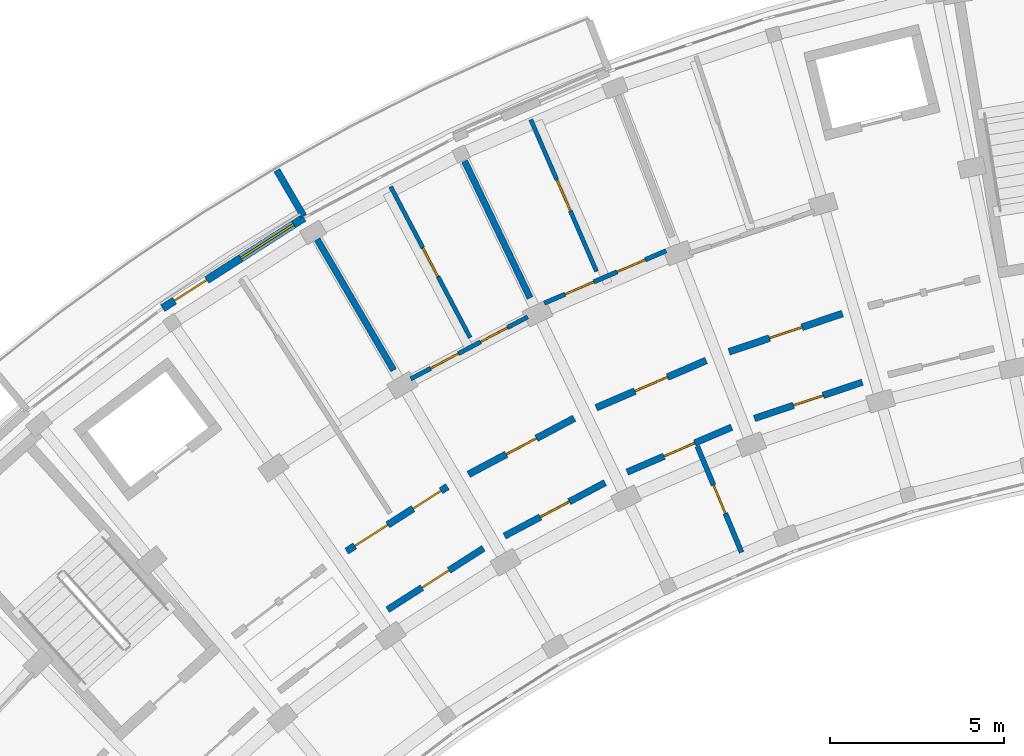
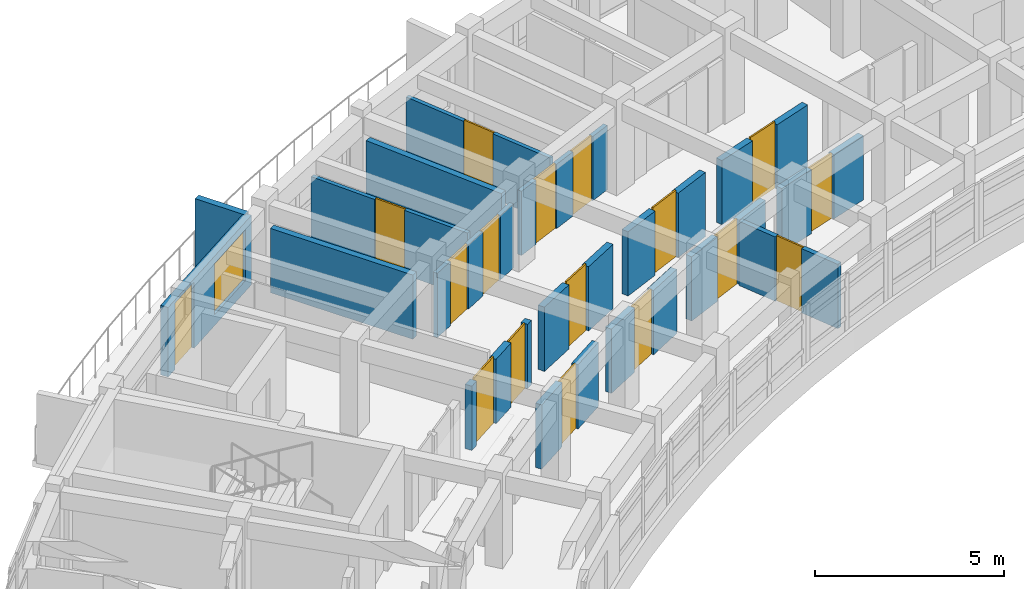
# One storey, part 25 of 40: 17 doors, 17 walls, 1 window, 18 openings.
"""IFC4 building model written with IfcOpenShell, lengths in metres."""

from ifc_helpers import new_model, si_unit, direction, frame, frame_2d, origin, place, context, subcontext, project, spatial, rectangle, extrude, material, layer, layer_set, type_object, element, fill, save


model = new_model("IFC4")

# Units and contexts
model_context = context("Model", 3, precision=1e-05, world=origin(), true_north=direction((0.0, 1.0)))
body_context = subcontext(model_context, "Body", "Model", "MODEL_VIEW")
ifc_project = project(units=[si_unit("LENGTHUNIT", "METRE"), si_unit("AREAUNIT", "SQUARE_METRE"), si_unit("VOLUMEUNIT", "CUBIC_METRE"), si_unit("PLANEANGLEUNIT", "RADIAN"), si_unit("MASSUNIT", "GRAM", prefix="KILO")], contexts=[model_context])

# Site, building, storey
site_placement = place(None, origin())
site = spatial("IfcSite", under=ifc_project, at=site_placement, CompositionType="ELEMENT")
building_placement = place(site_placement, origin())
building = spatial("IfcBuilding", under=site, at=building_placement, Name="Zimvara Arc Housing Community", CompositionType="ELEMENT")
storey_placement = place(building_placement, frame((0.0, 0.0, 32.89990234375)))
storey = spatial("IfcBuildingStorey", under=building, at=storey_placement, Name="L10", CompositionType="ELEMENT", Elevation=32.89990234375)

# Wall
ifc_material_1 = material(Name="Board-Marked Fair-Faced Concrete C35/45", Category="concrete")
ifc_layer_1 = layer(ifc_material_1, 0.195068359375)
ifc_layer_set_1 = layer_set([ifc_layer_1], Name="Board-Marked Fair-Faced Concrete C35/45")
wall_type_1 = type_object("IfcWallType", Name="EWL-PARA-195", PredefinedType="PARAPET", material=ifc_layer_set_1)
wall_1_placement = place(storey_placement, frame((15.038818359375, 95.8134765625, 0.0), z_axis=(0.0, 0.0, 1.0), x_axis=(-0.504228145431, 0.863570481985, 0.0)))
element("IfcWall", 1, at=wall_1_placement, inside=storey, type_object=wall_type_1, Name="finwall:blkA:L10:out:b4", PredefinedType="PARAPET", context=body_context, shape_type="SweptSolid", body=[
    extrude(rectangle(XDim=1.530029296875, YDim=0.195068359375, at=frame_2d((0.76513671875, 0.0))), origin(), (0.0, 0.0, 1.0), 2.25),
])

# Wall, openings, door, window
ifc_material_2 = material(Name="Board-Marked Fair-Faced Concrete C35/45", Category="concrete")
ifc_layer_2 = layer(ifc_material_2, 0.22802734375)
ifc_layer_set_2 = layer_set([ifc_layer_2], Name="Board-Marked Fair-Faced Concrete C35/45")
wall_type_2 = type_object("IfcWallType", Name="EWL-VAR-14", PredefinedType="SOLIDWALL", material=ifc_layer_set_2)
wall_2_placement = place(storey_placement, frame((10.991943359375, 93.17578125, 0.0), z_axis=(0.0, 0.0, 1.0), x_axis=(0.84226218024, 0.539068103061, 0.0)))
wall_2 = element("IfcWall", 2, at=wall_2_placement, inside=storey, type_object=wall_type_2, Name="ewall:blkA:L10:out:b3", PredefinedType="SOLIDWALL", context=body_context, shape_type="SweptSolid", body=[
    extrude(rectangle(XDim=4.808837890625, YDim=0.22802734375, at=frame_2d((2.404296875, 0.0))), origin(), (0.0, 0.0, 1.0), 2.25),
])
opening_1_placement = place(wall_2_placement, frame((0.39990234375, 0.0, 0.0)))
opening_1 = element("IfcOpeningElement", 3, at=opening_1_placement, cuts=wall_2, Name="Opening ED06", PredefinedType="OPENING", context=body_context, shape_type="SweptSolid", body=[
    extrude(rectangle(XDim=1.10009765625, YDim=2.14990234375, at=frame_2d((0.550048828125, 1.074951171875))), frame((0.0, 0.1240234375, 0.0), z_axis=(0.0, -1.0, 0.0), x_axis=(1.0, 0.0, 0.0)), (0.0, 0.0, 1.0), 0.248046875),
])
opening_2_placement = place(wall_2_placement, frame((2.658935546875, 0.0, 0.35009765625)))
opening_2 = element("IfcOpeningElement", 4, at=opening_2_placement, cuts=wall_2, Name="Opening W08", PredefinedType="OPENING", context=body_context, shape_type="SweptSolid", body=[
    extrude(rectangle(XDim=1.800048828125, YDim=1.64990234375, at=frame_2d((0.89990234375, 0.824951171875))), frame((0.0, 0.1240234375, 0.0), z_axis=(0.0, -1.0, 0.0), x_axis=(1.0, 0.0, 0.0)), (0.0, 0.0, 1.0), 0.248046875),
])
ifc_material_3 = material(Name="Anodised Aluminium AW-6063", Category="aluminium")
door_type_1 = type_object("IfcDoorType", Name="EDR-TERR-1100x2150", OperationType="NOTDEFINED", PredefinedType="DOOR", material=ifc_material_3)
door_1_placement = place(opening_1_placement, origin())
door_1 = element("IfcDoor", 5, at=door_1_placement, inside=storey, type_object=door_type_1, Name="edoor:blkA:L10:bal_out:b3", OperationType="SINGLE_SWING_LEFT", OverallHeight=2.14990234375, OverallWidth=1.10009765625, PredefinedType="DOOR", context=body_context, shape_type="SweptSolid", body=[
    extrude(rectangle(XDim=1.10009765625, YDim=2.14990234375, at=frame_2d((0.550048828125, 1.074951171875))), frame((0.0, 0.02490234375, 0.0), z_axis=(0.0, -1.0, 0.0), x_axis=(1.0, 0.0, 0.0)), (0.0, 0.0, 1.0), 0.050048828125),
])
fill(opening_1, door_1)
ifc_material_4 = material(Name="Solar Control Low-E Double Glazing", Category="glass")
window_type = type_object("IfcWindowType", Name="WIN-RES-1800x1650", PartitioningType="TRIPLE_PANEL_VERTICAL", PredefinedType="WINDOW", material=ifc_material_4)
window_placement = place(opening_2_placement, origin())
window = element("IfcWindow", 6, at=window_placement, inside=storey, type_object=window_type, Name="win:blkA:L10:out:b3:balw", OverallHeight=1.64990234375, OverallWidth=1.800048828125, PartitioningType="TRIPLE_PANEL_VERTICAL", PredefinedType="WINDOW", context=body_context, shape_type="SweptSolid", body=[
    extrude(rectangle(XDim=1.800048828125, YDim=1.64990234375, at=frame_2d((0.89990234375, 0.824951171875))), frame((0.0, 0.030029296875, 0.0), z_axis=(0.0, -1.0, 0.0), x_axis=(1.0, 0.0, 0.0)), (0.0, 0.0, 1.0), 0.06005859375),
])
fill(opening_2, window)

# Wall, opening, door
ifc_material_5 = material(Name="Concrete C35/45", Category="concrete")
ifc_layer_3 = layer(ifc_material_5, 0.18994140625)
ifc_layer_set_3 = layer_set([ifc_layer_3], Name="Concrete C35/45")
wall_type_3 = type_object("IfcWallType", Name="IWL-CORR-190", PredefinedType="SOLIDWALL", material=ifc_layer_set_3)
wall_3_placement = place(storey_placement, frame((17.44677734375, 84.518798828125, 0.0), z_axis=(0.0, 0.0, 1.0), x_axis=(0.842225276846, 0.539125758095, 0.0)))
wall_3 = element("IfcWall", 7, at=wall_3_placement, inside=storey, type_object=wall_type_3, Name="iwall:blkA:L10:corr_in:b3", PredefinedType="SOLIDWALL", context=body_context, shape_type="SweptSolid", body=[
    extrude(rectangle(XDim=3.2685546875, YDim=0.18994140625, at=frame_2d((1.63427734375, 0.0))), origin(), (0.0, 0.0, 1.0), 2.080078125),
])
opening_3_placement = place(wall_3_placement, frame((1.17431640625, 0.0, 0.0)))
opening_3 = element("IfcOpeningElement", 8, at=opening_3_placement, cuts=wall_3, Name="Opening D02", PredefinedType="OPENING", context=body_context, shape_type="SweptSolid", body=[
    extrude(rectangle(XDim=0.919921875, YDim=2.10009765625, at=frame_2d((0.4599609375, 1.050048828125))), frame((0.0, 0.10498046875, 0.0), z_axis=(0.0, -1.0, 0.0), x_axis=(1.0, 0.0, 0.0)), (0.0, 0.0, 1.0), 0.2099609375),
])
ifc_material_6 = material(Name="Mozambican Hardwood", Category="wood")
door_type_2 = type_object("IfcDoorType", Name="IDR-RM-0920x2100", OperationType="NOTDEFINED", PredefinedType="DOOR", material=ifc_material_6)
door_2_placement = place(opening_3_placement, origin())
door_2 = element("IfcDoor", 9, at=door_2_placement, inside=storey, type_object=door_type_2, Name="idoor:blkA:L10:in_rm:b3", OperationType="SINGLE_SWING_LEFT", OverallHeight=2.10009765625, OverallWidth=0.919921875, PredefinedType="DOOR", context=body_context, shape_type="SweptSolid", body=[
    extrude(rectangle(XDim=0.919921875, YDim=2.10009765625, at=frame_2d((0.4599609375, 1.050048828125))), frame((0.0, 0.02490234375, 0.0), z_axis=(0.0, -1.0, 0.0), x_axis=(1.0, 0.0, 0.0)), (0.0, 0.0, 1.0), 0.050048828125),
])
fill(opening_3, door_2)

wall_4_placement = place(storey_placement, frame((20.8037109375, 86.633544921875, 0.0), z_axis=(0.0, 0.0, 1.0), x_axis=(0.883444301944, 0.468536194293, 0.0)))
wall_4 = element("IfcWall", 10, at=wall_4_placement, inside=storey, type_object=wall_type_3, Name="iwall:blkA:L10:corr_in:b4", PredefinedType="SOLIDWALL", context=body_context, shape_type="SweptSolid", body=[
    extrude(rectangle(XDim=3.268798828125, YDim=0.18994140625, at=frame_2d((1.63427734375, 0.0))), origin(), (0.0, 0.0, 1.0), 2.080078125),
])
opening_4_placement = place(wall_4_placement, frame((1.164306640625, 0.0, 0.0)))
opening_4 = element("IfcOpeningElement", 11, at=opening_4_placement, cuts=wall_4, Name="Opening D03", PredefinedType="OPENING", context=body_context, shape_type="SweptSolid", body=[
    extrude(rectangle(XDim=0.93994140625, YDim=2.10009765625, at=frame_2d((0.469970703125, 1.050048828125))), frame((0.0, 0.10498046875, 0.0), z_axis=(0.0, -1.0, 0.0), x_axis=(1.0, 0.0, 0.0)), (0.0, 0.0, 1.0), 0.2099609375),
])
ifc_material_7 = material(Name="Mozambican Hardwood", Category="wood")
door_type_3 = type_object("IfcDoorType", Name="IDR-RM-0940x2100", OperationType="NOTDEFINED", PredefinedType="DOOR", material=ifc_material_7)
door_3_placement = place(opening_4_placement, origin())
door_3 = element("IfcDoor", 12, at=door_3_placement, inside=storey, type_object=door_type_3, Name="idoor:blkA:L10:in_rm:b4", OperationType="SINGLE_SWING_RIGHT", OverallHeight=2.10009765625, OverallWidth=0.93994140625, PredefinedType="DOOR", context=body_context, shape_type="SweptSolid", body=[
    extrude(rectangle(XDim=0.93994140625, YDim=2.10009765625, at=frame_2d((0.469970703125, 1.050048828125))), frame((0.0, 0.02490234375, 0.0), z_axis=(0.0, -1.0, 0.0), x_axis=(1.0, 0.0, 0.0)), (0.0, 0.0, 1.0), 0.050048828125),
])
fill(opening_4, door_3)

wall_5_placement = place(storey_placement, frame((24.322265625, 88.46728515625, 0.0), z_axis=(0.0, 0.0, 1.0), x_axis=(0.918723391052, 0.394901672235, 0.0)))
wall_5 = element("IfcWall", 13, at=wall_5_placement, inside=storey, type_object=wall_type_3, Name="iwall:blkA:L10:corr_in:b5", PredefinedType="SOLIDWALL", context=body_context, shape_type="SweptSolid", body=[
    extrude(rectangle(XDim=3.2685546875, YDim=0.18994140625, at=frame_2d((1.63427734375, 0.0))), origin(), (0.0, 0.0, 1.0), 2.080078125),
])
opening_5_placement = place(wall_5_placement, frame((1.154296875, 0.0, 0.0)))
opening_5 = element("IfcOpeningElement", 14, at=opening_5_placement, cuts=wall_5, Name="Opening D04", PredefinedType="OPENING", context=body_context, shape_type="SweptSolid", body=[
    extrude(rectangle(XDim=0.9599609375, YDim=2.10009765625, at=frame_2d((0.47998046875, 1.050048828125))), frame((0.0, 0.10498046875, 0.0), z_axis=(0.0, -1.0, 0.0), x_axis=(1.0, 0.0, 0.0)), (0.0, 0.0, 1.0), 0.2099609375),
])
ifc_material_8 = material(Name="Mozambican Hardwood", Category="wood")
door_type_4 = type_object("IfcDoorType", Name="IDR-RM-0960x2100", OperationType="NOTDEFINED", PredefinedType="DOOR", material=ifc_material_8)
door_4_placement = place(opening_5_placement, origin())
door_4 = element("IfcDoor", 15, at=door_4_placement, inside=storey, type_object=door_type_4, Name="idoor:blkA:L10:in_rm:b5", OperationType="SINGLE_SWING_LEFT", OverallHeight=2.10009765625, OverallWidth=0.9599609375, PredefinedType="DOOR", context=body_context, shape_type="SweptSolid", body=[
    extrude(rectangle(XDim=0.9599609375, YDim=2.10009765625, at=frame_2d((0.47998046875, 1.050048828125))), frame((0.0, 0.02490234375, 0.0), z_axis=(0.0, -1.0, 0.0), x_axis=(1.0, 0.0, 0.0)), (0.0, 0.0, 1.0), 0.050048828125),
])
fill(opening_5, door_4)

wall_6_placement = place(storey_placement, frame((27.978515625, 90.0078125, 0.0), z_axis=(0.0, 0.0, 1.0), x_axis=(0.94787351033, 0.318646839643, 0.0)))
wall_6 = element("IfcWall", 16, at=wall_6_placement, inside=storey, type_object=wall_type_3, Name="iwall:blkA:L10:corr_in:b6", PredefinedType="SOLIDWALL", context=body_context, shape_type="SweptSolid", body=[
    extrude(rectangle(XDim=3.2685546875, YDim=0.18994140625, at=frame_2d((1.63427734375, 0.0))), origin(), (0.0, 0.0, 1.0), 2.080078125),
])
opening_6_placement = place(wall_6_placement, frame((1.184326171875, 0.0, 0.0)))
opening_6 = element("IfcOpeningElement", 17, at=opening_6_placement, cuts=wall_6, Name="Opening D01", PredefinedType="OPENING", context=body_context, shape_type="SweptSolid", body=[
    extrude(rectangle(XDim=0.89990234375, YDim=2.10009765625, at=frame_2d((0.449951171875, 1.050048828125))), frame((0.0, 0.10498046875, 0.0), z_axis=(0.0, -1.0, 0.0), x_axis=(1.0, 0.0, 0.0)), (0.0, 0.0, 1.0), 0.2099609375),
])
ifc_material_9 = material(Name="Mozambican Hardwood", Category="wood")
door_type_5 = type_object("IfcDoorType", Name="IDR-RM-0900x2100", OperationType="NOTDEFINED", PredefinedType="DOOR", material=ifc_material_9)
door_5_placement = place(opening_6_placement, origin())
door_5 = element("IfcDoor", 18, at=door_5_placement, inside=storey, type_object=door_type_5, Name="idoor:blkA:L10:in_rm:b6", OperationType="SINGLE_SWING_LEFT", OverallHeight=2.10009765625, OverallWidth=0.89990234375, PredefinedType="DOOR", context=body_context, shape_type="SweptSolid", body=[
    extrude(rectangle(XDim=0.89990234375, YDim=2.10009765625, at=frame_2d((0.449951171875, 1.050048828125))), frame((0.0, 0.02490234375, 0.0), z_axis=(0.0, -1.0, 0.0), x_axis=(1.0, 0.0, 0.0)), (0.0, 0.0, 1.0), 0.050048828125),
])
fill(opening_6, door_5)

# Wall, openings, doors
ifc_material_10 = material(Name="Concrete C35/45", Category="concrete")
ifc_layer_4 = layer(ifc_material_10, 0.199951171875)
ifc_layer_set_4 = layer_set([ifc_layer_4], Name="Concrete C35/45")
wall_type_4 = type_object("IfcWallType", Name="IWL-CORR-200", PredefinedType="SOLIDWALL", material=ifc_layer_set_4)
wall_7_placement = place(storey_placement, frame((16.272216796875, 86.198974609375, 0.0), z_axis=(0.0, 0.0, 1.0), x_axis=(0.842257205985, 0.539075874963, 0.0)))
wall_7 = element("IfcWall", 19, at=wall_7_placement, inside=storey, type_object=wall_type_4, Name="iwall:blkA:L10:corr_out:b3", PredefinedType="SOLIDWALL", context=body_context, shape_type="SweptSolid", body=[
    extrude(rectangle(XDim=3.43603515625, YDim=0.199951171875, at=frame_2d((1.718017578125, 0.0))), origin(), (0.0, 0.0, 1.0), 2.080078125),
])
opening_7_placement = place(wall_7_placement, frame((0.280029296875, 0.0, 0.0)))
opening_7 = element("IfcOpeningElement", 20, at=opening_7_placement, cuts=wall_7, Name="Opening D07", PredefinedType="OPENING", context=body_context, shape_type="SweptSolid", body=[
    extrude(rectangle(XDim=1.1201171875, YDim=2.14990234375, at=frame_2d((0.56005859375, 1.074951171875))), frame((0.0, 0.10986328125, 0.0), z_axis=(0.0, -1.0, 0.0), x_axis=(1.0, 0.0, 0.0)), (0.0, 0.0, 1.0), 0.219970703125),
])
opening_8_placement = place(wall_7_placement, frame((2.26611328125, 0.0, 0.0)))
opening_8 = element("IfcOpeningElement", 21, at=opening_8_placement, cuts=wall_7, Name="Opening D06", PredefinedType="OPENING", context=body_context, shape_type="SweptSolid", body=[
    extrude(rectangle(XDim=0.949951171875, YDim=2.10009765625, at=frame_2d((0.47509765625, 1.050048828125))), frame((0.0, 0.10986328125, 0.0), z_axis=(0.0, -1.0, 0.0), x_axis=(1.0, 0.0, 0.0)), (0.0, 0.0, 1.0), 0.219970703125),
])
ifc_material_11 = material(Name="Mozambican Hardwood", Category="wood")
door_type_6 = type_object("IfcDoorType", Name="IDR-AMN-1120x2150", OperationType="NOTDEFINED", PredefinedType="DOOR", material=ifc_material_11)
door_6_placement = place(opening_7_placement, origin())
door_6 = element("IfcDoor", 22, at=door_6_placement, inside=storey, type_object=door_type_6, Name="idoor:blkA:L10:amen:b3", OperationType="SINGLE_SWING_LEFT", OverallHeight=2.14990234375, OverallWidth=1.1201171875, PredefinedType="DOOR", context=body_context, shape_type="SweptSolid", body=[
    extrude(rectangle(XDim=1.1201171875, YDim=2.14990234375, at=frame_2d((0.56005859375, 1.074951171875))), frame((0.0, 0.02490234375, 0.0), z_axis=(0.0, -1.0, 0.0), x_axis=(1.0, 0.0, 0.0)), (0.0, 0.0, 1.0), 0.050048828125),
])
fill(opening_7, door_6)
ifc_material_12 = material(Name="Mozambican Hardwood", Category="wood")
door_type_7 = type_object("IfcDoorType", Name="IDR-AWC-0950x2100", OperationType="NOTDEFINED", PredefinedType="DOOR", material=ifc_material_12)
door_7_placement = place(opening_8_placement, origin())
door_7 = element("IfcDoor", 23, at=door_7_placement, inside=storey, type_object=door_type_7, Name="idoor:blkA:L10:cawc:b3", OperationType="SINGLE_SWING_RIGHT", OverallHeight=2.10009765625, OverallWidth=0.949951171875, PredefinedType="DOOR", context=body_context, shape_type="SweptSolid", body=[
    extrude(rectangle(XDim=0.949951171875, YDim=2.10009765625, at=frame_2d((0.47509765625, 1.050048828125))), frame((0.0, 0.02490234375, 0.0), z_axis=(0.0, -1.0, 0.0), x_axis=(1.0, 0.0, 0.0)), (0.0, 0.0, 1.0), 0.050048828125),
])
fill(opening_8, door_7)

# Wall, opening, door
wall_8_placement = place(storey_placement, frame((19.770263671875, 88.40380859375, 0.0), z_axis=(0.0, 0.0, 1.0), x_axis=(0.883410853063, 0.468599258099, 0.0)))
wall_8 = element("IfcWall", 24, at=wall_8_placement, inside=storey, type_object=wall_type_4, Name="iwall:blkA:L10:corr_out:b4", PredefinedType="SOLIDWALL", context=body_context, shape_type="SweptSolid", body=[
    extrude(rectangle(XDim=3.43603515625, YDim=0.199951171875, at=frame_2d((1.718017578125, 0.0))), origin(), (0.0, 0.0, 1.0), 2.080078125),
])
opening_9_placement = place(wall_8_placement, frame((1.22802734375, 0.0, 0.0)))
opening_9 = element("IfcOpeningElement", 25, at=opening_9_placement, cuts=wall_8, Name="Opening FD-FL1", PredefinedType="OPENING", context=body_context, shape_type="SweptSolid", body=[
    extrude(rectangle(XDim=0.97998046875, YDim=2.14990234375, at=frame_2d((0.489990234375, 1.074951171875))), frame((0.0, 0.10986328125, 0.0), z_axis=(0.0, -1.0, 0.0), x_axis=(1.0, 0.0, 0.0)), (0.0, 0.0, 1.0), 0.219970703125),
])
ifc_material_13 = material(Name="Mozambican Hardwood", Category="wood")
door_type_8 = type_object("IfcDoorType", Name="IDR-FLAT-0980x2150", OperationType="NOTDEFINED", PredefinedType="DOOR", material=ifc_material_13)
door_8_placement = place(opening_9_placement, origin())
door_8 = element("IfcDoor", 26, at=door_8_placement, inside=storey, type_object=door_type_8, Name="idoor:blkA:L10:flat:b4", OperationType="SINGLE_SWING_LEFT", OverallHeight=2.14990234375, OverallWidth=0.97998046875, PredefinedType="DOOR", context=body_context, shape_type="SweptSolid", body=[
    extrude(rectangle(XDim=0.97998046875, YDim=2.14990234375, at=frame_2d((0.489990234375, 1.074951171875))), frame((0.0, 0.02490234375, 0.0), z_axis=(0.0, -1.0, 0.0), x_axis=(1.0, 0.0, 0.0)), (0.0, 0.0, 1.0), 0.050048828125),
])
fill(opening_9, door_8)

wall_9_placement = place(storey_placement, frame((23.4365234375, 90.31591796875, 0.0), z_axis=(0.0, 0.0, 1.0), x_axis=(0.918718172399, 0.394913813008, 0.0)))
wall_9 = element("IfcWall", 27, at=wall_9_placement, inside=storey, type_object=wall_type_4, Name="iwall:blkA:L10:corr_out:b5", PredefinedType="SOLIDWALL", context=body_context, shape_type="SweptSolid", body=[
    extrude(rectangle(XDim=3.43603515625, YDim=0.199951171875, at=frame_2d((1.718017578125, 0.0))), origin(), (0.0, 0.0, 1.0), 2.080078125),
])
opening_10_placement = place(wall_9_placement, frame((1.2080078125, 0.0, 0.0)))
opening_10 = element("IfcOpeningElement", 28, at=opening_10_placement, cuts=wall_9, Name="Opening FD-FL2", PredefinedType="OPENING", context=body_context, shape_type="SweptSolid", body=[
    extrude(rectangle(XDim=1.02001953125, YDim=2.14990234375, at=frame_2d((0.510009765625, 1.074951171875))), frame((0.0, 0.10986328125, 0.0), z_axis=(0.0, -1.0, 0.0), x_axis=(1.0, 0.0, 0.0)), (0.0, 0.0, 1.0), 0.219970703125),
])
ifc_material_14 = material(Name="Mozambican Hardwood", Category="wood")
door_type_9 = type_object("IfcDoorType", Name="IDR-FLAT-1020x2150", OperationType="NOTDEFINED", PredefinedType="DOOR", material=ifc_material_14)
door_9_placement = place(opening_10_placement, origin())
door_9 = element("IfcDoor", 29, at=door_9_placement, inside=storey, type_object=door_type_9, Name="idoor:blkA:L10:flat:b5", OperationType="SINGLE_SWING_RIGHT", OverallHeight=2.14990234375, OverallWidth=1.02001953125, PredefinedType="DOOR", context=body_context, shape_type="SweptSolid", body=[
    extrude(rectangle(XDim=1.02001953125, YDim=2.14990234375, at=frame_2d((0.510009765625, 1.074951171875))), frame((0.0, 0.02490234375, 0.0), z_axis=(0.0, -1.0, 0.0), x_axis=(1.0, 0.0, 0.0)), (0.0, 0.0, 1.0), 0.050048828125),
])
fill(opening_10, door_9)

wall_10_placement = place(storey_placement, frame((27.24658203125, 91.922607421875, 0.0), z_axis=(0.0, 0.0, 1.0), x_axis=(0.947863007629, 0.318678080151, 0.0)))
wall_10 = element("IfcWall", 30, at=wall_10_placement, inside=storey, type_object=wall_type_4, Name="iwall:blkA:L10:corr_out:b6", PredefinedType="SOLIDWALL", context=body_context, shape_type="SweptSolid", body=[
    extrude(rectangle(XDim=3.43603515625, YDim=0.199951171875, at=frame_2d((1.718017578125, 0.0))), origin(), (0.0, 0.0, 1.0), 2.080078125),
])
opening_11_placement = place(wall_10_placement, frame((1.22802734375, 0.0, 0.0)))
opening_11 = element("IfcOpeningElement", 31, at=opening_11_placement, cuts=wall_10, Name="Opening FD-FL1", PredefinedType="OPENING", context=body_context, shape_type="SweptSolid", body=[
    extrude(rectangle(XDim=0.97998046875, YDim=2.14990234375, at=frame_2d((0.489990234375, 1.074951171875))), frame((0.0, 0.10986328125, 0.0), z_axis=(0.0, -1.0, 0.0), x_axis=(1.0, 0.0, 0.0)), (0.0, 0.0, 1.0), 0.219970703125),
])
door_10_placement = place(opening_11_placement, origin())
door_10 = element("IfcDoor", 32, at=door_10_placement, inside=storey, type_object=door_type_8, Name="idoor:blkA:L10:flat:b6", OperationType="SINGLE_SWING_RIGHT", OverallHeight=2.14990234375, OverallWidth=0.97998046875, PredefinedType="DOOR", context=body_context, shape_type="SweptSolid", body=[
    extrude(rectangle(XDim=0.97998046875, YDim=2.14990234375, at=frame_2d((0.489990234375, 1.074951171875))), frame((0.0, 0.02490234375, 0.0), z_axis=(0.0, -1.0, 0.0), x_axis=(1.0, 0.0, 0.0)), (0.0, 0.0, 1.0), 0.050048828125),
])
fill(opening_11, door_10)

# Walls
ifc_material_15 = material(Name="Concrete C35/45", Category="concrete")
ifc_layer_5 = layer(ifc_material_15, 0.18505859375)
ifc_layer_set_5 = layer_set([ifc_layer_5], Name="Concrete C35/45")
wall_type_5 = type_object("IfcWallType", Name="IWL-FLAT-185", PredefinedType="SOLIDWALL", material=ifc_layer_set_5)
for number, where, z_axis, x_axis, name in (
    (33, (17.62060546875, 91.391845703125, 0.0), (0.0, 0.0, 1.0), (-0.504216452091, 0.863577309475, 0.0), "iwall:blkA:L10:party:b4"),
    (34, (21.537841796875, 93.469482421875, 0.0), (0.0, 0.0, 1.0), (-0.432086898897, 0.901831975371, 0.0), "iwall:blkA:L10:party:b5"),
):
    element("IfcWall", number, at=place(storey_placement, frame(where, z_axis=z_axis, x_axis=x_axis)), inside=storey, type_object=wall_type_5, Name=name, PredefinedType="SOLIDWALL", context=body_context, shape_type="SweptSolid", body=[
        extrude(rectangle(XDim=4.35009765625, YDim=0.18505859375, at=frame_2d((2.175048828125, 0.0))), origin(), (0.0, 0.0, 1.0), 2.080078125),
    ])

# Wall, opening, door
ifc_material_16 = material(Name="Painted Acoustic Plasterboard")
ifc_layer_6 = layer(ifc_material_16, 0.1201171875)
ifc_layer_set_6 = layer_set([ifc_layer_6], Name="Painted Acoustic Plasterboard")
wall_type_6 = type_object("IfcWallType", Name="IWL-PART-120", PredefinedType="PARTITIONING", material=ifc_layer_set_6)
wall_11_placement = place(storey_placement, frame((19.819091796875, 92.325927734375, 0.0), z_axis=(0.0, 0.0, 1.0), x_axis=(-0.465849102717, 0.884864177995, 0.0)))
wall_11 = element("IfcWall", 35, at=wall_11_placement, inside=storey, type_object=wall_type_6, Name="iwall:blkA:L10:bed_div:b4", PredefinedType="PARTITIONING", context=body_context, shape_type="SweptSolid", body=[
    extrude(rectangle(XDim=4.900146484375, YDim=0.1201171875, at=frame_2d((2.4501953125, 0.0))), origin(), (0.0, 0.0, 1.0), 2.080078125),
])
opening_12_placement = place(wall_11_placement, frame((1.985107421875, 0.0, 0.0)))
opening_12 = element("IfcOpeningElement", 36, at=opening_12_placement, cuts=wall_11, Name="Opening D13", PredefinedType="OPENING", context=body_context, shape_type="SweptSolid", body=[
    extrude(rectangle(XDim=0.929931640625, YDim=2.10009765625, at=frame_2d((0.46484375, 1.050048828125))), frame((0.0, 0.070068359375, 0.0), z_axis=(0.0, -1.0, 0.0), x_axis=(1.0, 0.0, 0.0)), (0.0, 0.0, 1.0), 0.14013671875),
])
ifc_material_17 = material(Name="Mozambican Hardwood", Category="wood")
door_type_10 = type_object("IfcDoorType", Name="IDR-MOD-930x2180", OperationType="NOTDEFINED", PredefinedType="DOOR", material=ifc_material_17)
door_11_placement = place(opening_12_placement, origin())
door_11 = element("IfcDoor", 37, at=door_11_placement, inside=storey, type_object=door_type_10, Name="idoor:blkA:L10:bed_d:b4", OperationType="SINGLE_SWING_LEFT", OverallHeight=2.10009765625, OverallWidth=0.929931640625, PredefinedType="DOOR", context=body_context, shape_type="SweptSolid", body=[
    extrude(rectangle(XDim=0.929931640625, YDim=2.10009765625, at=frame_2d((0.46484375, 1.050048828125))), frame((0.0, 0.02490234375, 0.0), z_axis=(0.0, -1.0, 0.0), x_axis=(1.0, 0.0, 0.0)), (0.0, 0.0, 1.0), 0.050048828125),
])
fill(opening_12, door_11)

wall_12_placement = place(storey_placement, frame((23.446044921875, 94.22998046875, 0.0), z_axis=(0.0, 0.0, 1.0), x_axis=(-0.3976752315, 0.917526244993, 0.0)))
wall_12 = element("IfcWall", 38, at=wall_12_placement, inside=storey, type_object=wall_type_6, Name="iwall:blkA:L10:bed_div:b5", PredefinedType="PARTITIONING", context=body_context, shape_type="SweptSolid", body=[
    extrude(rectangle(XDim=4.75, YDim=0.1201171875, at=frame_2d((2.375, 0.0))), origin(), (0.0, 0.0, 1.0), 2.080078125),
])
opening_13_placement = place(wall_12_placement, frame((1.889892578125, 0.0, 0.0)))
opening_13 = element("IfcOpeningElement", 39, at=opening_13_placement, cuts=wall_12, Name="Opening D14", PredefinedType="OPENING", context=body_context, shape_type="SweptSolid", body=[
    extrude(rectangle(XDim=0.969970703125, YDim=2.10009765625, at=frame_2d((0.48486328125, 1.050048828125))), frame((0.0, 0.070068359375, 0.0), z_axis=(0.0, -1.0, 0.0), x_axis=(1.0, 0.0, 0.0)), (0.0, 0.0, 1.0), 0.14013671875),
])
ifc_material_18 = material(Name="Mozambican Hardwood", Category="wood")
door_type_11 = type_object("IfcDoorType", Name="IDR-MOD-970x2080", OperationType="NOTDEFINED", PredefinedType="DOOR", material=ifc_material_18)
door_12_placement = place(opening_13_placement, origin())
door_12 = element("IfcDoor", 40, at=door_12_placement, inside=storey, type_object=door_type_11, Name="idoor:blkA:L10:bed_d:b5", OperationType="SINGLE_SWING_LEFT", OverallHeight=2.10009765625, OverallWidth=0.969970703125, PredefinedType="DOOR", context=body_context, shape_type="SweptSolid", body=[
    extrude(rectangle(XDim=0.969970703125, YDim=2.10009765625, at=frame_2d((0.48486328125, 1.050048828125))), frame((0.0, 0.02490234375, 0.0), z_axis=(0.0, -1.0, 0.0), x_axis=(1.0, 0.0, 0.0)), (0.0, 0.0, 1.0), 0.050048828125),
])
fill(opening_13, door_12)

# Wall, openings, doors
ifc_material_19 = material(Name="Painted Acoustic Plasterboard")
ifc_layer_7 = layer(ifc_material_19, 0.125)
ifc_layer_set_7 = layer_set([ifc_layer_7], Name="Painted Acoustic Plasterboard")
wall_type_7 = type_object("IfcWallType", Name="IWL-PART-125", PredefinedType="PARTITIONING", material=ifc_layer_set_7)
wall_13_placement = place(storey_placement, frame((18.112548828125, 91.143798828125, 0.0), z_axis=(0.0, 0.0, 1.0), x_axis=(0.88341855112, 0.46858474531, 0.0)))
wall_13 = element("IfcWall", 41, at=wall_13_placement, inside=storey, type_object=wall_type_7, Name="iwall:blkA:L10:srv:b4", PredefinedType="PARTITIONING", context=body_context, shape_type="SweptSolid", body=[
    extrude(rectangle(XDim=3.797119140625, YDim=0.125, at=frame_2d((1.8984375, 0.0))), origin(), (0.0, 0.0, 1.0), 2.080078125),
])
opening_14_placement = place(wall_13_placement, frame((0.64990234375, 0.0, 0.0)))
opening_14 = element("IfcOpeningElement", 42, at=opening_14_placement, cuts=wall_13, Name="Opening D01", PredefinedType="OPENING", context=body_context, shape_type="SweptSolid", body=[
    extrude(rectangle(XDim=0.89990234375, YDim=2.10009765625, at=frame_2d((0.449951171875, 1.050048828125))), frame((0.0, 0.072509765625, 0.0), z_axis=(0.0, -1.0, 0.0), x_axis=(1.0, 0.0, 0.0)), (0.0, 0.0, 1.0), 0.14501953125),
])
opening_15_placement = place(wall_13_placement, frame((2.267333984375, 0.0, 0.0)))
opening_15 = element("IfcOpeningElement", 43, at=opening_15_placement, cuts=wall_13, Name="Opening D05", PredefinedType="OPENING", context=body_context, shape_type="SweptSolid", body=[
    extrude(rectangle(XDim=0.8798828125, YDim=2.10009765625, at=frame_2d((0.43994140625, 1.050048828125))), frame((0.0, 0.072509765625, 0.0), z_axis=(0.0, -1.0, 0.0), x_axis=(1.0, 0.0, 0.0)), (0.0, 0.0, 1.0), 0.14501953125),
])
door_13_placement = place(opening_14_placement, origin())
door_13 = element("IfcDoor", 44, at=door_13_placement, inside=storey, type_object=door_type_5, Name="idoor:blkA:L10:kit_liv:b4", OperationType="SINGLE_SWING_LEFT", OverallHeight=2.10009765625, OverallWidth=0.89990234375, PredefinedType="DOOR", context=body_context, shape_type="SweptSolid", body=[
    extrude(rectangle(XDim=0.89990234375, YDim=2.10009765625, at=frame_2d((0.449951171875, 1.050048828125))), frame((0.0, 0.02490234375, 0.0), z_axis=(0.0, -1.0, 0.0), x_axis=(1.0, 0.0, 0.0)), (0.0, 0.0, 1.0), 0.050048828125),
])
fill(opening_14, door_13)
ifc_material_20 = material(Name="Mozambican Hardwood", Category="wood")
door_type_12 = type_object("IfcDoorType", Name="IDR-WC-0880x2100", OperationType="NOTDEFINED", PredefinedType="DOOR", material=ifc_material_20)
door_14_placement = place(opening_15_placement, origin())
door_14 = element("IfcDoor", 45, at=door_14_placement, inside=storey, type_object=door_type_12, Name="idoor:blkA:L10:bath_d:b4", OperationType="SINGLE_SWING_RIGHT", OverallHeight=2.10009765625, OverallWidth=0.8798828125, PredefinedType="DOOR", context=body_context, shape_type="SweptSolid", body=[
    extrude(rectangle(XDim=0.8798828125, YDim=2.10009765625, at=frame_2d((0.43994140625, 1.050048828125))), frame((0.0, 0.02490234375, 0.0), z_axis=(0.0, -1.0, 0.0), x_axis=(1.0, 0.0, 0.0)), (0.0, 0.0, 1.0), 0.050048828125),
])
fill(opening_15, door_14)

ifc_material_21 = material(Name="Painted Acoustic Plasterboard")
ifc_layer_8 = layer(ifc_material_21, 0.1298828125)
ifc_layer_set_8 = layer_set([ifc_layer_8], Name="Painted Acoustic Plasterboard")
wall_type_8 = type_object("IfcWallType", Name="IWL-PART-130", PredefinedType="PARTITIONING", material=ifc_layer_set_8)
wall_14_placement = place(storey_placement, frame((21.94287109375, 93.3173828125, 0.0), z_axis=(0.0, 0.0, 1.0), x_axis=(0.918726854017, 0.394893615684, 0.0)))
wall_14 = element("IfcWall", 46, at=wall_14_placement, inside=storey, type_object=wall_type_8, Name="iwall:blkA:L10:srv:b5", PredefinedType="PARTITIONING", context=body_context, shape_type="SweptSolid", body=[
    extrude(rectangle(XDim=3.8095703125, YDim=0.1298828125, at=frame_2d((1.90478515625, 0.0))), origin(), (0.0, 0.0, 1.0), 2.080078125),
])
opening_16_placement = place(wall_14_placement, frame((0.64990234375, 0.0, 0.0)))
opening_16 = element("IfcOpeningElement", 47, at=opening_16_placement, cuts=wall_14, Name="Opening D01", PredefinedType="OPENING", context=body_context, shape_type="SweptSolid", body=[
    extrude(rectangle(XDim=0.89990234375, YDim=2.10009765625, at=frame_2d((0.449951171875, 1.050048828125))), frame((0.0, 0.074951171875, 0.0), z_axis=(0.0, -1.0, 0.0), x_axis=(1.0, 0.0, 0.0)), (0.0, 0.0, 1.0), 0.14990234375),
])
opening_17_placement = place(wall_14_placement, frame((2.279541015625, 0.0, 0.0)))
opening_17 = element("IfcOpeningElement", 48, at=opening_17_placement, cuts=wall_14, Name="Opening D05", PredefinedType="OPENING", context=body_context, shape_type="SweptSolid", body=[
    extrude(rectangle(XDim=0.8798828125, YDim=2.10009765625, at=frame_2d((0.43994140625, 1.050048828125))), frame((0.0, 0.074951171875, 0.0), z_axis=(0.0, -1.0, 0.0), x_axis=(1.0, 0.0, 0.0)), (0.0, 0.0, 1.0), 0.14990234375),
])
door_15_placement = place(opening_16_placement, origin())
door_15 = element("IfcDoor", 49, at=door_15_placement, inside=storey, type_object=door_type_5, Name="idoor:blkA:L10:kit_liv:b5", OperationType="SINGLE_SWING_LEFT", OverallHeight=2.10009765625, OverallWidth=0.89990234375, PredefinedType="DOOR", context=body_context, shape_type="SweptSolid", body=[
    extrude(rectangle(XDim=0.89990234375, YDim=2.10009765625, at=frame_2d((0.449951171875, 1.050048828125))), frame((0.0, 0.02490234375, 0.0), z_axis=(0.0, -1.0, 0.0), x_axis=(1.0, 0.0, 0.0)), (0.0, 0.0, 1.0), 0.050048828125),
])
fill(opening_16, door_15)
door_16_placement = place(opening_17_placement, origin())
door_16 = element("IfcDoor", 50, at=door_16_placement, inside=storey, type_object=door_type_12, Name="idoor:blkA:L10:bath_d:b5", OperationType="SINGLE_SWING_RIGHT", OverallHeight=2.10009765625, OverallWidth=0.8798828125, PredefinedType="DOOR", context=body_context, shape_type="SweptSolid", body=[
    extrude(rectangle(XDim=0.8798828125, YDim=2.10009765625, at=frame_2d((0.43994140625, 1.050048828125))), frame((0.0, 0.02490234375, 0.0), z_axis=(0.0, -1.0, 0.0), x_axis=(1.0, 0.0, 0.0)), (0.0, 0.0, 1.0), 0.050048828125),
])
fill(opening_17, door_16)

# Wall, opening, door
ifc_material_22 = material(Name="Painted Acoustic Plasterboard")
ifc_layer_9 = layer(ifc_material_22, 0.14501953125)
ifc_layer_set_9 = layer_set([ifc_layer_9], Name="Painted Acoustic Plasterboard")
wall_type_9 = type_object("IfcWallType", Name="IWL-WET-145", PredefinedType="PARTITIONING", material=ifc_layer_set_9)
wall_15_placement = place(storey_placement, frame((27.60888671875, 86.166259765625, 0.0), z_axis=(0.0, 0.0, 1.0), x_axis=(-0.385151143297, 0.922853507777, 0.0)))
wall_15 = element("IfcWall", 51, at=wall_15_placement, inside=storey, type_object=wall_type_9, Name="iwall:blkA:L10:ens:b5", PredefinedType="PARTITIONING", context=body_context, shape_type="SweptSolid", body=[
    extrude(rectangle(XDim=3.300048828125, YDim=0.14501953125, at=frame_2d((1.64990234375, 0.0))), origin(), (0.0, 0.0, 1.0), 2.080078125),
])
opening_18_placement = place(wall_15_placement, frame((1.2099609375, 0.0, 0.0)))
opening_18 = element("IfcOpeningElement", 52, at=opening_18_placement, cuts=wall_15, Name="Opening D05", PredefinedType="OPENING", context=body_context, shape_type="SweptSolid", body=[
    extrude(rectangle(XDim=0.8798828125, YDim=2.10009765625, at=frame_2d((0.43994140625, 1.050048828125))), frame((0.0, 0.08251953125, 0.0), z_axis=(0.0, -1.0, 0.0), x_axis=(1.0, 0.0, 0.0)), (0.0, 0.0, 1.0), 0.1650390625),
])
door_17_placement = place(opening_18_placement, origin())
door_17 = element("IfcDoor", 53, at=door_17_placement, inside=storey, type_object=door_type_12, Name="idoor:blkA:L10:ens_d:b5", OperationType="SINGLE_SWING_RIGHT", OverallHeight=2.10009765625, OverallWidth=0.8798828125, PredefinedType="DOOR", context=body_context, shape_type="SweptSolid", body=[
    extrude(rectangle(XDim=0.8798828125, YDim=2.10009765625, at=frame_2d((0.43994140625, 1.050048828125))), frame((0.0, 0.02490234375, 0.0), z_axis=(0.0, -1.0, 0.0), x_axis=(1.0, 0.0, 0.0)), (0.0, 0.0, 1.0), 0.050048828125),
])
fill(opening_18, door_17)

save(model, "model.ifc")
